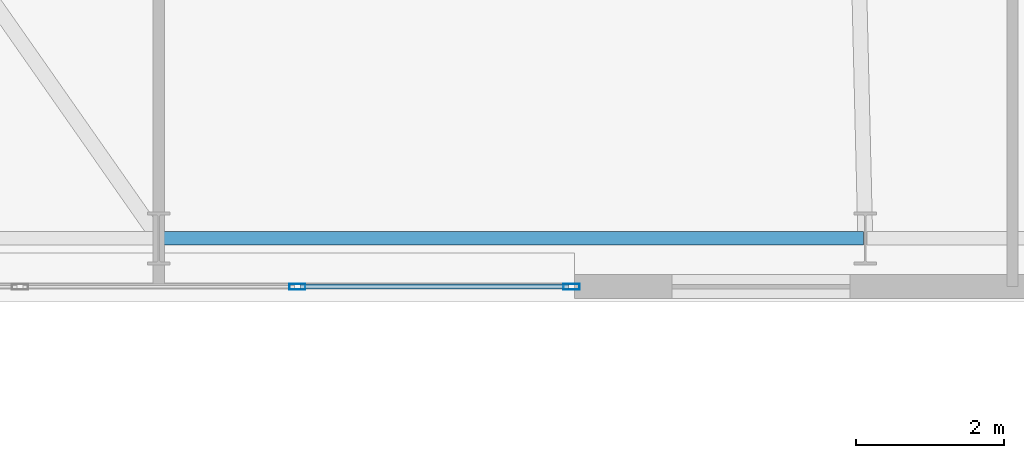
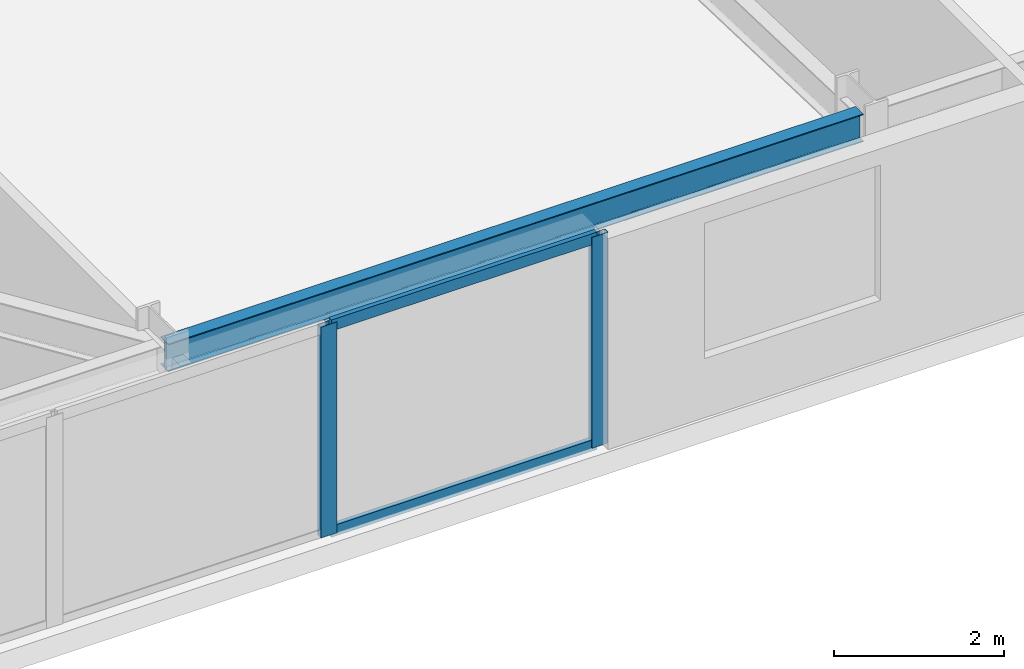
# One storey, part 8 of 26: 4 members, 1 beam, 1 element without a shape of its own.
"""IFC4 building model written with IfcOpenShell, lengths in metres."""

from ifc_helpers import new_model, si_unit, direction, frame, origin, origin_2d, place, context, subcontext, project, spatial, hollow_rectangle, i_section, extrude, material, layer, layer_set, material_profile, profile_set, type_object, element, aggregate, save


model = new_model("IFC4")

# Units and contexts
model_context = context("Model", 3, precision=1e-05, world=origin(), true_north=direction((0.0, 1.0)))
body_context = subcontext(model_context, "Body", "Model", "MODEL_VIEW")
ifc_project = project(units=[si_unit("LENGTHUNIT", "METRE"), si_unit("AREAUNIT", "SQUARE_METRE"), si_unit("VOLUMEUNIT", "CUBIC_METRE"), si_unit("PLANEANGLEUNIT", "RADIAN"), si_unit("MASSUNIT", "GRAM", prefix="KILO")], contexts=[model_context])

# Site, building, storey
site_placement = place(None, origin())
site = spatial("IfcSite", under=ifc_project, at=site_placement, CompositionType="ELEMENT")
building_placement = place(site_placement, origin())
building = spatial("IfcBuilding", under=site, at=building_placement, Name="Qobustan Lattice House", CompositionType="ELEMENT")
storey_placement = place(building_placement, frame((0.0, 0.0, 47.10009765625)))
storey = spatial("IfcBuildingStorey", under=building, at=storey_placement, Name="L12", CompositionType="ELEMENT", Elevation=47.10009765625)

# Beam
ifc_material_1 = material(Name="Steel S355", Category="steel")
ifc_material_profile_1 = material_profile(ifc_material_1, i_section(OverallWidth=0.179931640625, OverallDepth=0.39990234375, WebThickness=0.008544921875, FlangeThickness=0.013427734375, FilletRadius=0.02099609375, at=origin_2d()), Name="IPE400")
ifc_profile_set_1 = profile_set([ifc_material_profile_1], Name="Steel S355")
beam_type = type_object("IfcBeamType", Name="BM-SPD-IPE400", PredefinedType="SPANDREL", material=ifc_profile_set_1)
beam_placement = place(storey_placement, frame((0.02490234375, -18.75, 2.8349609375), z_axis=(1.0, 0.0, 0.0), x_axis=(0.0, 1.0, 0.0)))
element("IfcBeam", 1, at=beam_placement, inside=storey, type_object=beam_type, Name="L12 perimeter spandrel S4-S5", PredefinedType="SPANDREL", context=body_context, shape_type="SweptSolid", body=[
    extrude(i_section(OverallWidth=0.179931640625, OverallDepth=0.39990234375, WebThickness=0.008544921875, FlangeThickness=0.013427734375, FilletRadius=0.02099609375, at=origin_2d()), origin(), (0.0, 0.0, 1.0), 9.466796875),
])

# Curtain wall, members
ifc_material_2 = material(Name="Anodised aluminium and low-E glazing", Category="aluminium")
ifc_layer = layer(ifc_material_2, 0.219970703125)
ifc_layer_set = layer_set([ifc_layer], Name="Anodised aluminium and low-E glazing")
curtain_wall_type = type_object("IfcCurtainWallType", Name="CW-IWN-01", PredefinedType="USERDEFINED", material=ifc_layer_set)
curtain_wall_placement = place(storey_placement, origin())
curtain_wall = element("IfcCurtainWall", 2, at=curtain_wall_placement, inside=storey, type_object=curtain_wall_type, Name="L12 IWAN-1 walnut-lined iwan curtain wall", ObjectType="CURTAIN WALL", PredefinedType="USERDEFINED")
ifc_material_3 = material(Name="Anodised aluminium EN AW-6063 T6", Category="aluminium")
ifc_material_profile_2 = material_profile(ifc_material_3, hollow_rectangle(XDim=0.080078125, YDim=0.219970703125, WallThickness=0.0048828125, at=origin_2d()), Name="CWM-220x80")
ifc_profile_set_2 = profile_set([ifc_material_profile_2], Name="Anodised aluminium EN AW-6063 T6")
member_type_1 = type_object("IfcMemberType", Name="CWM-MAIN-220", PredefinedType="MULLION", material=ifc_profile_set_2)
member_1_placement = place(storey_placement, frame((5.56005859375, -19.39990234375, 0.0), z_axis=(0.0, 0.0, 1.0), x_axis=(0.0, -1.0, 0.0)))
member_1 = element("IfcMember", 3, at=member_1_placement, type_object=member_type_1, Name="CW-IW mullion 1", PredefinedType="MULLION", context=body_context, shape_type="SweptSolid", body=[
    extrude(hollow_rectangle(XDim=0.080078125, YDim=0.219970703125, WallThickness=0.0048828125, at=origin_2d()), origin(), (0.0, 0.0, 1.0), 3.034912109375),
])
member_2_placement = place(storey_placement, frame((1.86669921875, -19.39990234375, 0.0), z_axis=(0.0, 0.0, 1.0), x_axis=(0.0, -1.0, 0.0)))
member_2 = element("IfcMember", 4, at=member_2_placement, type_object=member_type_1, Name="CW-IW mullion 2", PredefinedType="MULLION", context=body_context, shape_type="SweptSolid", body=[
    extrude(hollow_rectangle(XDim=0.080078125, YDim=0.219970703125, WallThickness=0.0048828125, at=origin_2d()), origin(), (0.0, 0.0, 1.0), 3.034912109375),
])
ifc_material_4 = material(Name="Anodised aluminium EN AW-6063 T6", Category="aluminium")
ifc_material_profile_3 = material_profile(ifc_material_4, hollow_rectangle(XDim=0.06494140625, YDim=0.159912109375, WallThickness=0.00390625, at=origin_2d()), Name="CWT-160x65")
ifc_profile_set_3 = profile_set([ifc_material_profile_3], Name="Anodised aluminium EN AW-6063 T6")
member_type_2 = type_object("IfcMemberType", Name="CWT-HOR-160", PredefinedType="USERDEFINED", material=ifc_profile_set_3)
member_3_placement = place(storey_placement, frame((5.52001953125, -19.39990234375, 0.032470703125), z_axis=(-1.0, 0.0, 0.0), x_axis=(0.0, -1.0, 0.0)))
member_3 = element("IfcMember", 5, at=member_3_placement, type_object=member_type_2, Name="CW-IW transom 1.1", ObjectType="TRANSOM", PredefinedType="USERDEFINED", context=body_context, shape_type="SweptSolid", body=[
    extrude(hollow_rectangle(XDim=0.06494140625, YDim=0.159912109375, WallThickness=0.00390625, at=origin_2d()), origin(), (0.0, 0.0, 1.0), 3.61328125),
])
member_4_placement = place(storey_placement, frame((5.52001953125, -19.39990234375, 3.00244140625), z_axis=(-1.0, 0.0, 0.0), x_axis=(0.0, -1.0, 0.0)))
member_4 = element("IfcMember", 6, at=member_4_placement, type_object=member_type_2, Name="CW-IW transom 1.2", ObjectType="TRANSOM", PredefinedType="USERDEFINED", context=body_context, shape_type="SweptSolid", body=[
    extrude(hollow_rectangle(XDim=0.06494140625, YDim=0.159912109375, WallThickness=0.00390625, at=origin_2d()), origin(), (0.0, 0.0, 1.0), 3.61328125),
])
aggregate(curtain_wall, [member_1, member_2, member_3, member_4])

save(model, "model.ifc")
